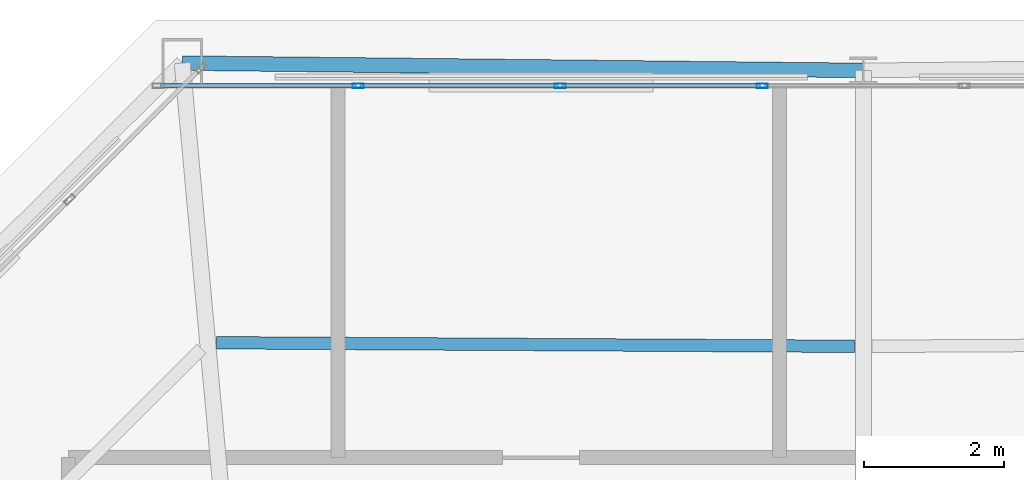
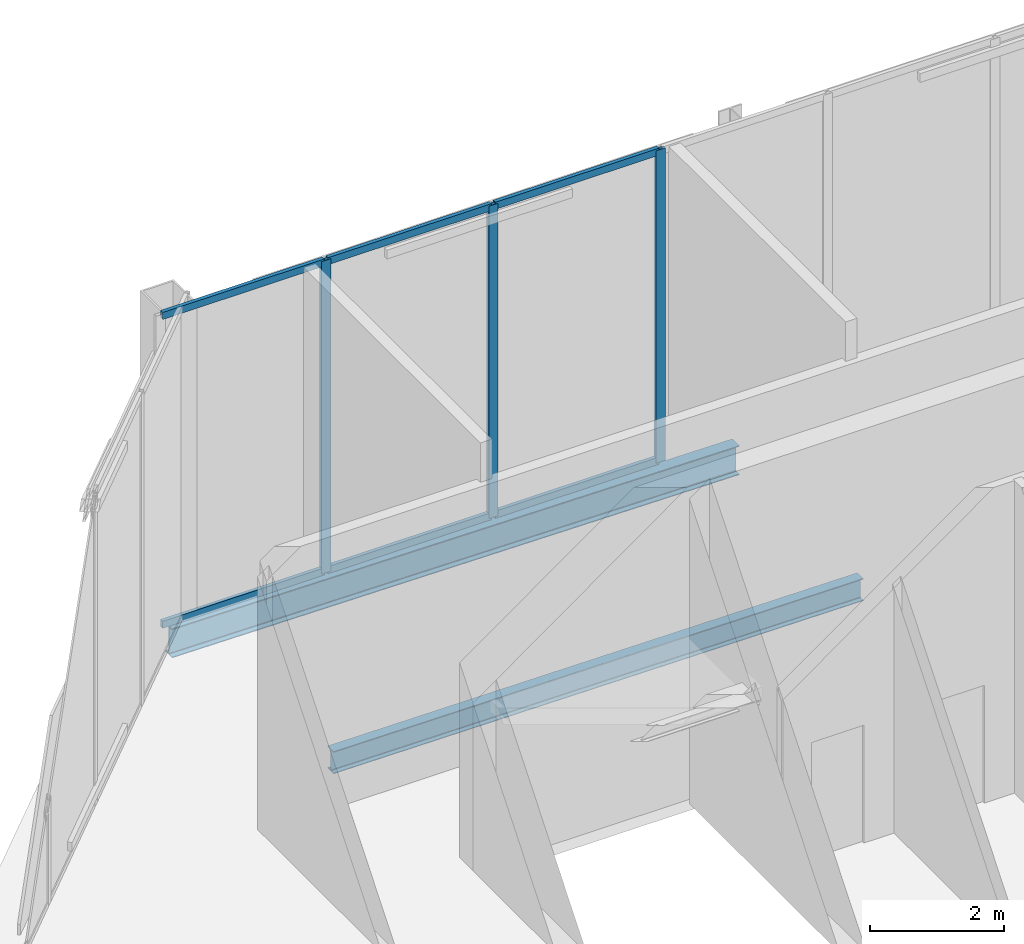
# One storey, part 11 of 20: 9 members, 2 beams, 1 element without a shape of its own.
"""IFC4 building model written with IfcOpenShell, lengths in metres."""

from ifc_helpers import new_model, si_unit, direction, frame, origin, origin_2d, place, context, subcontext, project, spatial, hollow_rectangle, i_section, extrude, material, layer, layer_set, material_profile, profile_set, type_object, element, aggregate, save


model = new_model("IFC4")

# Units and contexts
model_context = context("Model", 3, precision=1e-05, world=origin(), true_north=direction((0.0, 1.0)))
body_context = subcontext(model_context, "Body", "Model", "MODEL_VIEW")
ifc_project = project(units=[si_unit("LENGTHUNIT", "METRE"), si_unit("AREAUNIT", "SQUARE_METRE"), si_unit("VOLUMEUNIT", "CUBIC_METRE"), si_unit("PLANEANGLEUNIT", "RADIAN"), si_unit("MASSUNIT", "GRAM", prefix="KILO")], contexts=[model_context])

# Site, building, storey
site_placement = place(None, origin())
site = spatial("IfcSite", under=ifc_project, at=site_placement, CompositionType="ELEMENT")
building_placement = place(site_placement, origin())
building = spatial("IfcBuilding", under=site, at=building_placement, Name="Caelvoria Tower", CompositionType="ELEMENT")
storey_placement = place(building_placement, frame((0.0, 0.0, 284.199951171875)))
storey = spatial("IfcBuildingStorey", under=building, at=storey_placement, Name="C1", CompositionType="ELEMENT", Elevation=284.199951171875)

# Curtain wall, members
ifc_material_1 = material(Name="Anodised Bronze Aluminium and Low-E Glass", Category="aluminium")
ifc_layer = layer(ifc_material_1, 0.179931640625, Name="Anodised Bronze Aluminium and Low-E Glass")
ifc_layer_set = layer_set([ifc_layer], Name="CW System 6 Slanted Crown Bronze Screen Facade - Anodised Bronze Aluminium and Low-E Glass")
curtain_wall_type = type_object("IfcCurtainWallType", Name="CW System 6 Slanted Crown Bronze Screen Facade", PredefinedType="NOTDEFINED", material=ifc_layer_set)
curtain_wall_placement = place(storey_placement, origin())
curtain_wall = element("IfcCurtainWall", 1, at=curtain_wall_placement, inside=storey, type_object=curtain_wall_type, Name="CW-06 Curtain Wall C1-E4", PredefinedType="NOTDEFINED")
ifc_material_2 = material(Name="Anodised Bronze Architectural Aluminium", Category="aluminium")
ifc_material_profile_1 = material_profile(ifc_material_2, hollow_rectangle(XDim=0.06494140625, YDim=0.159912109375, WallThickness=0.00390625, at=origin_2d()), Name="Anodised Bronze Architectural Aluminium")
ifc_profile_set_1 = profile_set([ifc_material_profile_1], Name="CW_MULL_65X160 - Anodised Bronze Architectural Aluminium")
member_type_1 = type_object("IfcMemberType", Name="Curtain Wall Mullion 65x160 Bronze Aluminium", PredefinedType="MULLION", material=ifc_profile_set_1)
member_1_placement = place(storey_placement, frame((44.55712890625, 47.659912109375, 0.0), z_axis=(0.0, 0.0, 1.0), x_axis=(0.0, -1.0, 0.0)))
member_1 = element("IfcMember", 2, at=member_1_placement, type_object=member_type_1, Name="CW-06 mullion 5", PredefinedType="MULLION", context=body_context, shape_type="SweptSolid", body=[
    extrude(hollow_rectangle(XDim=0.06494140625, YDim=0.159912109375, WallThickness=0.00390625, at=origin_2d()), origin(), (0.0, 0.0, 1.0), 5.699951171875),
])
member_2_placement = place(storey_placement, frame((41.67138671875, 47.659912109375, 0.0), z_axis=(0.0, 0.0, 1.0), x_axis=(0.0, -1.0, 0.0)))
member_2 = element("IfcMember", 3, at=member_2_placement, type_object=member_type_1, Name="CW-06 mullion 6", PredefinedType="MULLION", context=body_context, shape_type="SweptSolid", body=[
    extrude(hollow_rectangle(XDim=0.06494140625, YDim=0.159912109375, WallThickness=0.00390625, at=origin_2d()), origin(), (0.0, 0.0, 1.0), 5.699951171875),
])
member_3_placement = place(storey_placement, frame((38.78564453125, 47.659912109375, 0.0), z_axis=(0.0, 0.0, 1.0), x_axis=(0.0, -1.0, 0.0)))
member_3 = element("IfcMember", 4, at=member_3_placement, type_object=member_type_1, Name="CW-06 mullion 7", PredefinedType="MULLION", context=body_context, shape_type="SweptSolid", body=[
    extrude(hollow_rectangle(XDim=0.06494140625, YDim=0.159912109375, WallThickness=0.00390625, at=origin_2d()), origin(), (0.0, 0.0, 1.0), 5.699951171875),
])
ifc_material_profile_2 = material_profile(ifc_material_2, hollow_rectangle(XDim=0.06494140625, YDim=0.1298828125, WallThickness=0.00341796875, at=origin_2d()), Name="Anodised Bronze Architectural Aluminium")
ifc_profile_set_2 = profile_set([ifc_material_profile_2], Name="CW_TRAN_65X130 - Anodised Bronze Architectural Aluminium")
member_type_2 = type_object("IfcMemberType", Name="Curtain Wall Transom 65x130 Bronze Aluminium", PredefinedType="USERDEFINED", material=ifc_profile_set_2)
member_4_placement = place(storey_placement, frame((44.524658203125, 47.659912109375, 0.032470703125), z_axis=(-1.0, 0.0, 0.0), x_axis=(0.0, -1.0, 0.0)))
member_4 = element("IfcMember", 5, at=member_4_placement, type_object=member_type_2, Name="CW-06 transom 5.1", ObjectType="TRANSOM", PredefinedType="USERDEFINED", context=body_context, shape_type="SweptSolid", body=[
    extrude(hollow_rectangle(XDim=0.06494140625, YDim=0.1298828125, WallThickness=0.00341796875, at=origin_2d()), origin(), (0.0, 0.0, 1.0), 2.82080078125),
])
member_5_placement = place(storey_placement, frame((44.524658203125, 47.659912109375, 5.66748046875), z_axis=(-1.0, 0.0, 0.0), x_axis=(0.0, -1.0, 0.0)))
member_5 = element("IfcMember", 6, at=member_5_placement, type_object=member_type_2, Name="CW-06 transom 5.2", ObjectType="TRANSOM", PredefinedType="USERDEFINED", context=body_context, shape_type="SweptSolid", body=[
    extrude(hollow_rectangle(XDim=0.06494140625, YDim=0.1298828125, WallThickness=0.00341796875, at=origin_2d()), origin(), (0.0, 0.0, 1.0), 2.82080078125),
])
member_6_placement = place(storey_placement, frame((41.638916015625, 47.659912109375, 0.032470703125), z_axis=(-1.0, 0.0, 0.0), x_axis=(0.0, -1.0, 0.0)))
member_6 = element("IfcMember", 7, at=member_6_placement, type_object=member_type_2, Name="CW-06 transom 6.1", ObjectType="TRANSOM", PredefinedType="USERDEFINED", context=body_context, shape_type="SweptSolid", body=[
    extrude(hollow_rectangle(XDim=0.06494140625, YDim=0.1298828125, WallThickness=0.00341796875, at=origin_2d()), origin(), (0.0, 0.0, 1.0), 2.82080078125),
])
member_7_placement = place(storey_placement, frame((41.638916015625, 47.659912109375, 5.66748046875), z_axis=(-1.0, 0.0, 0.0), x_axis=(0.0, -1.0, 0.0)))
member_7 = element("IfcMember", 8, at=member_7_placement, type_object=member_type_2, Name="CW-06 transom 6.2", ObjectType="TRANSOM", PredefinedType="USERDEFINED", context=body_context, shape_type="SweptSolid", body=[
    extrude(hollow_rectangle(XDim=0.06494140625, YDim=0.1298828125, WallThickness=0.00341796875, at=origin_2d()), origin(), (0.0, 0.0, 1.0), 2.82080078125),
])
member_8_placement = place(storey_placement, frame((38.753173828125, 47.659912109375, 0.032470703125), z_axis=(-1.0, 0.0, 0.0), x_axis=(0.0, -1.0, 0.0)))
member_8 = element("IfcMember", 9, at=member_8_placement, type_object=member_type_2, Name="CW-06 transom 7.1", ObjectType="TRANSOM", PredefinedType="USERDEFINED", context=body_context, shape_type="SweptSolid", body=[
    extrude(hollow_rectangle(XDim=0.06494140625, YDim=0.1298828125, WallThickness=0.00341796875, at=origin_2d()), origin(), (0.0, 0.0, 1.0), 2.7880859375),
])
member_9_placement = place(storey_placement, frame((38.753173828125, 47.659912109375, 5.66748046875), z_axis=(-1.0, 0.0, 0.0), x_axis=(0.0, -1.0, 0.0)))
member_9 = element("IfcMember", 10, at=member_9_placement, type_object=member_type_2, Name="CW-06 transom 7.2", ObjectType="TRANSOM", PredefinedType="USERDEFINED", context=body_context, shape_type="SweptSolid", body=[
    extrude(hollow_rectangle(XDim=0.06494140625, YDim=0.1298828125, WallThickness=0.00341796875, at=origin_2d()), origin(), (0.0, 0.0, 1.0), 2.7880859375),
])
aggregate(curtain_wall, [member_1, member_2, member_3, member_4, member_5, member_6, member_7, member_8, member_9])

# Beams
ifc_material_3 = material(Name="Structural Steel ASTM A992 Gr.50", Category="steel")
ifc_material_profile_3 = material_profile(ifc_material_3, i_section(OverallWidth=0.177978515625, OverallDepth=0.406982421875, WebThickness=0.0078125, FlangeThickness=0.0126953125, FilletRadius=0.013916015625, at=origin_2d()), Name="Structural Steel ASTM A992 Gr.50")
ifc_profile_set_3 = profile_set([ifc_material_profile_3], Name="W410X60 - Structural Steel ASTM A992 Gr.50")
beam_type_1 = type_object("IfcBeamType", Name="Secondary Floor Beam W410X60", PredefinedType="BEAM", material=ifc_profile_set_3)
beam_1_placement = place(storey_placement, frame((45.875, 43.940673828125, -0.50341796875), z_axis=(-0.999984324209, 0.005599226377, 0.0), x_axis=(-0.005599226377, -0.999984324209, 0.0)))
element("IfcBeam", 11, at=beam_1_placement, inside=storey, type_object=beam_type_1, Name="Secondary Floor Beam C1-07", PredefinedType="BEAM", context=body_context, shape_type="SweptSolid", body=[
    extrude(i_section(OverallWidth=0.177978515625, OverallDepth=0.406982421875, WebThickness=0.0078125, FlangeThickness=0.0126953125, FilletRadius=0.013916015625, at=origin_2d()), origin(), (0.0, 0.0, 1.0), 9.113037109375),
])
ifc_material_profile_4 = material_profile(ifc_material_3, i_section(OverallWidth=0.208984375, OverallDepth=0.532958984375, WebThickness=0.01025390625, FlangeThickness=0.015625, FilletRadius=0.01611328125, at=origin_2d()), Name="Structural Steel ASTM A992 Gr.50")
ifc_profile_set_4 = profile_set([ifc_material_profile_4], Name="W530X92 - Structural Steel ASTM A992 Gr.50")
beam_type_2 = type_object("IfcBeamType", Name="Upper Zone Spandrel W530X92", PredefinedType="BEAM", material=ifc_profile_set_4)
beam_2_placement = place(storey_placement, frame((46.0, 47.8798828125, -0.56640625), z_axis=(-0.999941750029, 0.010793356742, 0.0), x_axis=(-0.010793356742, -0.999941750029, 0.0)))
element("IfcBeam", 12, at=beam_2_placement, inside=storey, type_object=beam_type_2, Name="Perimeter Spandrel Girder C1-07", PredefinedType="BEAM", context=body_context, shape_type="SweptSolid", body=[
    extrude(i_section(OverallWidth=0.208984375, OverallDepth=0.532958984375, WebThickness=0.01025390625, FlangeThickness=0.015625, FilletRadius=0.01611328125, at=origin_2d()), origin(), (0.0, 0.0, 1.0), 9.726318359375),
])

save(model, "model.ifc")
